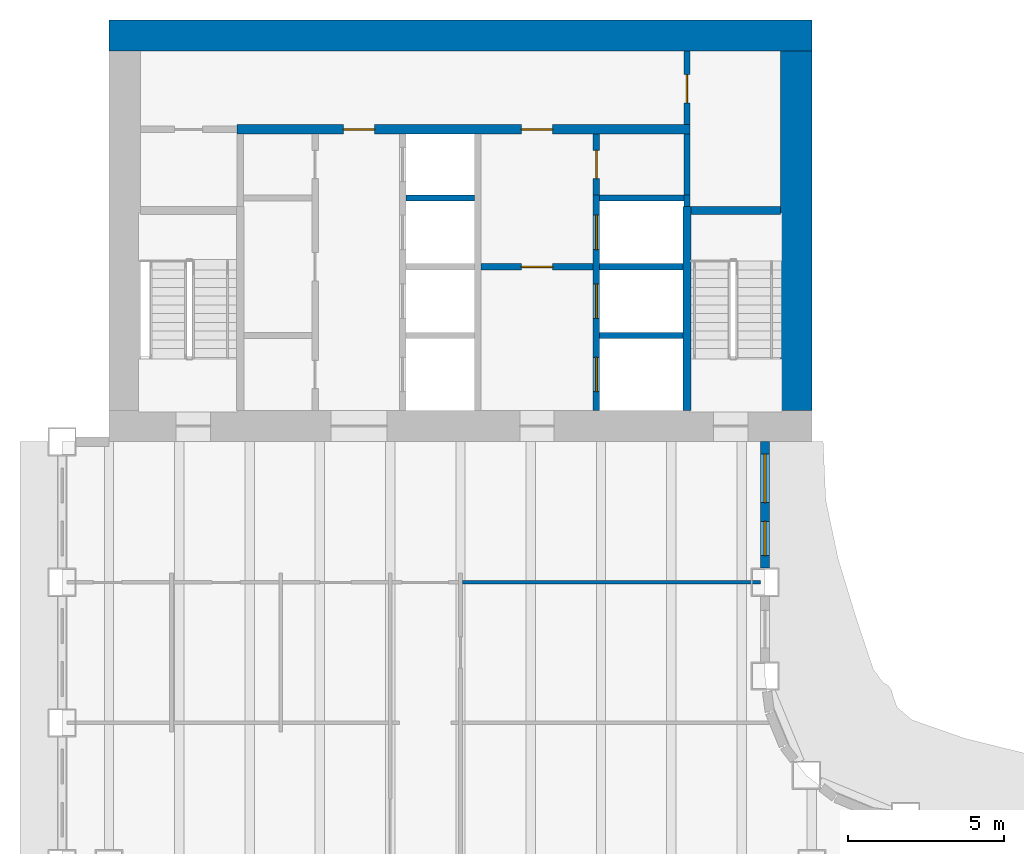
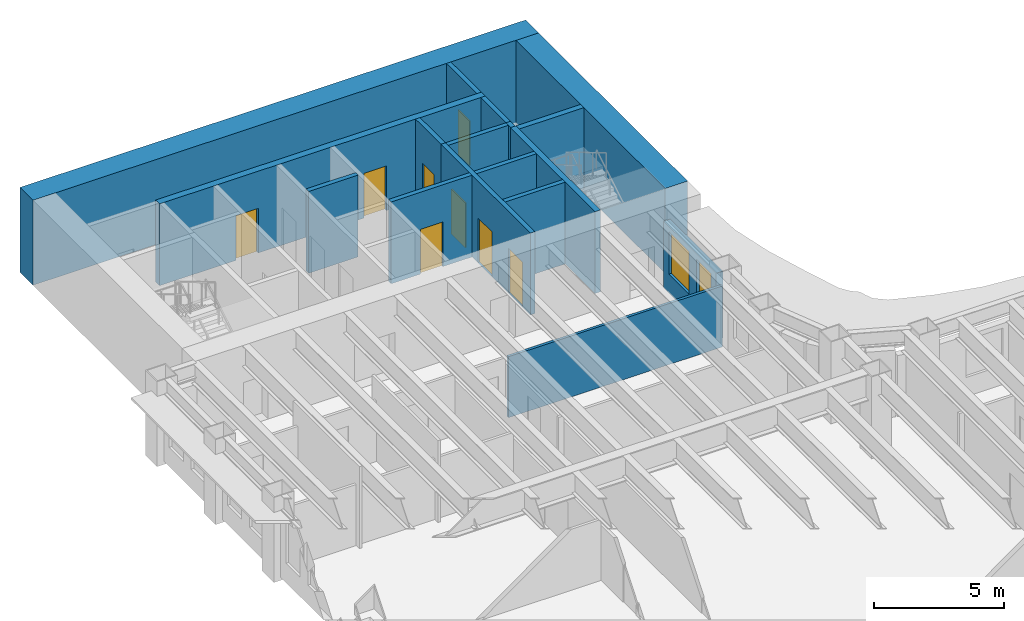
# One storey, part 9 of 16: 17 walls, 8 doors, 2 windows, 10 openings.
"""IFC4 building model written with IfcOpenShell, lengths in metres."""

from ifc_helpers import new_model, si_unit, direction, frame, frame_2d, origin, place, context, subcontext, project, spatial, rectangle, extrude, material, layer, layer_set, type_object, element, fill, save


model = new_model("IFC4")

# Units and contexts
model_context = context("Model", 3, precision=1e-05, world=origin(), true_north=direction((0.0, 1.0)))
body_context = subcontext(model_context, "Body", "Model", "MODEL_VIEW")
ifc_project = project(units=[si_unit("LENGTHUNIT", "METRE"), si_unit("AREAUNIT", "SQUARE_METRE"), si_unit("VOLUMEUNIT", "CUBIC_METRE"), si_unit("PLANEANGLEUNIT", "RADIAN"), si_unit("MASSUNIT", "GRAM", prefix="KILO")], contexts=[model_context])

# Site, building, storey
site_placement = place(None, origin())
site = spatial("IfcSite", under=ifc_project, at=site_placement, CompositionType="ELEMENT")
building_placement = place(site_placement, origin())
building = spatial("IfcBuilding", under=site, at=building_placement, Name="Sennacour Bend Tower", CompositionType="ELEMENT")
storey_placement = place(building_placement, frame((0.0, 0.0, 167.0)))
storey = spatial("IfcBuildingStorey", under=building, at=storey_placement, Name="L38", CompositionType="ELEMENT", Elevation=167.0)

# Walls
ifc_material_1 = material(Name="Concrete C60/75", Category="concrete")
ifc_layer_1 = layer(ifc_material_1, 1.0, Name="Concrete C60/75", Category="concrete")
ifc_layer_set_1 = layer_set([ifc_layer_1], Name="Concrete C60/75")
wall_type_1 = type_object("IfcWallType", Name="Core wall 1000 C60/75", PredefinedType="SHEAR", material=ifc_layer_set_1)
wall_1_placement = place(storey_placement, frame((0.0, 49.0, -0.14990234375), z_axis=(0.0, 0.0, 1.0), x_axis=(1.0, 0.0, 0.0)))
element("IfcWall", 1, at=wall_1_placement, inside=storey, type_object=wall_type_1, Name="Core B wall L38 N", PredefinedType="SHEAR", context=body_context, shape_type="SweptSolid", body=[
    extrude(rectangle(XDim=22.5, YDim=1.0, at=frame_2d((11.25, 0.0))), origin(), (0.0, 0.0, 1.0), 4.0),
])
wall_2_placement = place(storey_placement, frame((22.0, 37.0, -0.14990234375), z_axis=(0.0, 0.0, 1.0), x_axis=(0.0, 1.0, 0.0)))
element("IfcWall", 2, at=wall_2_placement, inside=storey, type_object=wall_type_1, Name="Core B wall L38 E", PredefinedType="SHEAR", context=body_context, shape_type="SweptSolid", body=[
    extrude(rectangle(XDim=11.5, YDim=1.0, at=frame_2d((5.75, 0.0))), origin(), (0.0, 0.0, 1.0), 4.0),
])
ifc_material_2 = material(Name="Plasterboard partition on steel studs", Category="steel")
ifc_layer_2 = layer(ifc_material_2, 0.1201171875, Name="Plasterboard partition on steel studs", Category="steel")
ifc_layer_set_2 = layer_set([ifc_layer_2], Name="Plasterboard partition on steel studs")
wall_type_2 = type_object("IfcWallType", Name="Partition 120", PredefinedType="PARTITIONING", material=ifc_layer_set_2)
wall_3_placement = place(storey_placement, frame((11.31005859375, 31.5, 0.0), z_axis=(0.0, 0.0, 1.0), x_axis=(1.0, 0.0, 0.0)))
element("IfcWall", 3, at=wall_3_placement, inside=storey, type_object=wall_type_2, Name="P-L38-W080ae", PredefinedType="PARTITIONING", context=body_context, shape_type="SweptSolid", body=[
    extrude(rectangle(XDim=9.5400390625, YDim=0.1201171875, at=frame_2d((4.77001953125, 0.0))), origin(), (0.0, 0.0, 1.0), 2.8701171875),
])

# Wall, opening, door
ifc_material_3 = material(Name="Fire-rated plasterboard partition on steel studs", Category="steel")
ifc_layer_3 = layer(ifc_material_3, 0.199951171875, Name="Fire-rated plasterboard partition on steel studs", Category="steel")
ifc_layer_set_3 = layer_set([ifc_layer_3], Name="Fire-rated plasterboard partition on steel studs")
wall_type_3 = type_object("IfcWallType", Name="Rated partition 200", PredefinedType="PARTITIONING", material=ifc_layer_set_3)
wall_4_placement = place(storey_placement, frame((15.60009765625, 43.89990234375, 0.0), z_axis=(0.0, 0.0, 1.0), x_axis=(0.0, 1.0, 0.0)))
wall_4 = element("IfcWall", 4, at=wall_4_placement, inside=storey, type_object=wall_type_3, Name="P-L38-W018", PredefinedType="PARTITIONING", context=body_context, shape_type="SweptSolid", body=[
    extrude(rectangle(XDim=1.9501953125, YDim=0.199951171875, at=frame_2d((0.97509765625, 0.0))), origin(), (0.0, 0.0, 1.0), 3.85009765625),
])
opening_1_placement = place(wall_4_placement, frame((0.525146484375, 0.0, 0.0)))
opening_1 = element("IfcOpeningElement", 5, at=opening_1_placement, cuts=wall_4, Name="Opening SV", PredefinedType="OPENING", context=body_context, shape_type="SweptSolid", body=[
    extrude(rectangle(XDim=0.89990234375, YDim=2.10009765625, at=frame_2d((0.449951171875, 1.050048828125))), frame((0.0, 0.10986328125, 0.0), z_axis=(0.0, -1.0, 0.0), x_axis=(1.0, 0.0, 0.0)), (0.0, 0.0, 1.0), 0.219970703125),
])
ifc_material_4 = material(Name="Painted steel", Category="steel")
door_type_1 = type_object("IfcDoorType", Name="DR-SERVICE-900", OperationType="NOTDEFINED", PredefinedType="DOOR", material=ifc_material_4)
door_1_placement = place(opening_1_placement, origin())
door_1 = element("IfcDoor", 6, at=door_1_placement, inside=storey, type_object=door_type_1, Name="Door", OperationType="SINGLE_SWING_RIGHT", OverallHeight=2.10009765625, OverallWidth=0.89990234375, PredefinedType="DOOR", context=body_context, shape_type="SweptSolid", body=[
    extrude(rectangle(XDim=0.89990234375, YDim=2.10009765625, at=frame_2d((0.449951171875, 1.050048828125))), frame((0.0, 0.02490234375, 0.0), z_axis=(0.0, -1.0, 0.0), x_axis=(1.0, 0.0, 0.0)), (0.0, 0.0, 1.0), 0.050048828125),
])
fill(opening_1, door_1)

# Wall
wall_5_placement = place(storey_placement, frame((18.5, 43.89990234375, 0.0), z_axis=(0.0, 0.0, 1.0), x_axis=(0.0, 1.0, 0.0)))
element("IfcWall", 7, at=wall_5_placement, inside=storey, type_object=wall_type_3, Name="P-L38-W022a", PredefinedType="PARTITIONING", context=body_context, shape_type="SweptSolid", body=[
    extrude(rectangle(XDim=1.9501953125, YDim=0.199951171875, at=frame_2d((0.97509765625, 0.0))), origin(), (0.0, 0.0, 1.0), 3.85009765625),
])

# Wall, opening, door
wall_6_placement = place(storey_placement, frame((18.5, 46.14990234375, 0.0), z_axis=(0.0, 0.0, 1.0), x_axis=(0.0, 1.0, 0.0)))
wall_6 = element("IfcWall", 8, at=wall_6_placement, inside=storey, type_object=wall_type_3, Name="P-L38-W022b", PredefinedType="PARTITIONING", context=body_context, shape_type="SweptSolid", body=[
    extrude(rectangle(XDim=2.35009765625, YDim=0.199951171875, at=frame_2d((1.175048828125, 0.0))), origin(), (0.0, 0.0, 1.0), 3.85009765625),
])
opening_2_placement = place(wall_6_placement, frame((0.7001953125, 0.0, 0.0)))
opening_2 = element("IfcOpeningElement", 9, at=opening_2_placement, cuts=wall_6, Name="Opening SV", PredefinedType="OPENING", context=body_context, shape_type="SweptSolid", body=[
    extrude(rectangle(XDim=0.89990234375, YDim=2.10009765625, at=frame_2d((0.449951171875, 1.050048828125))), frame((0.0, 0.10986328125, 0.0), z_axis=(0.0, -1.0, 0.0), x_axis=(1.0, 0.0, 0.0)), (0.0, 0.0, 1.0), 0.219970703125),
])
door_2_placement = place(opening_2_placement, origin())
door_2 = element("IfcDoor", 10, at=door_2_placement, inside=storey, type_object=door_type_1, Name="Door", OperationType="SINGLE_SWING_LEFT", OverallHeight=2.10009765625, OverallWidth=0.89990234375, PredefinedType="DOOR", context=body_context, shape_type="SweptSolid", body=[
    extrude(rectangle(XDim=0.89990234375, YDim=2.10009765625, at=frame_2d((0.449951171875, 1.050048828125))), frame((0.0, 0.02490234375, 0.0), z_axis=(0.0, -1.0, 0.0), x_axis=(1.0, 0.0, 0.0)), (0.0, 0.0, 1.0), 0.050048828125),
])
fill(opening_2, door_2)

ifc_layer_4 = layer(ifc_material_3, 0.199951171875, Name="Fire-rated plasterboard partition on steel studs", Category="steel")
ifc_layer_set_4 = layer_set([ifc_layer_4], Name="Fire-rated plasterboard partition on steel studs")
wall_type_4 = type_object("IfcWallType", Name="Rated partition 200 EI 90", PredefinedType="PARTITIONING", material=ifc_layer_set_4)
wall_7_placement = place(storey_placement, frame((11.89990234375, 41.60009765625, 0.0), z_axis=(0.0, 0.0, 1.0), x_axis=(1.0, 0.0, 0.0)))
wall_7 = element("IfcWall", 11, at=wall_7_placement, inside=storey, type_object=wall_type_4, Name="P-L38-W086", PredefinedType="PARTITIONING", context=body_context, shape_type="SweptSolid", body=[
    extrude(rectangle(XDim=3.60009765625, YDim=0.199951171875, at=frame_2d((1.800048828125, 0.0))), origin(), (0.0, 0.0, 1.0), 3.85009765625),
])
opening_3_placement = place(wall_7_placement, frame((1.300048828125, 0.0, 0.0)))
opening_3 = element("IfcOpeningElement", 12, at=opening_3_placement, cuts=wall_7, Name="Opening FD2", PredefinedType="OPENING", context=body_context, shape_type="SweptSolid", body=[
    extrude(rectangle(XDim=1.0, YDim=2.10009765625, at=frame_2d((0.5, 1.050048828125))), frame((0.0, 0.10986328125, 0.0), z_axis=(0.0, -1.0, 0.0), x_axis=(1.0, 0.0, 0.0)), (0.0, 0.0, 1.0), 0.219970703125),
])
door_type_2 = type_object("IfcDoorType", Name="DR-FFL-1000", OperationType="NOTDEFINED", PredefinedType="DOOR", material=ifc_material_4)
door_3_placement = place(opening_3_placement, origin())
door_3 = element("IfcDoor", 13, at=door_3_placement, inside=storey, type_object=door_type_2, Name="Door", OperationType="SINGLE_SWING_LEFT", OverallHeight=2.10009765625, OverallWidth=1.0, PredefinedType="DOOR", context=body_context, shape_type="SweptSolid", body=[
    extrude(rectangle(XDim=1.0, YDim=2.10009765625, at=frame_2d((0.5, 1.050048828125))), frame((0.0, 0.02490234375, 0.0), z_axis=(0.0, -1.0, 0.0), x_axis=(1.0, 0.0, 0.0)), (0.0, 0.0, 1.0), 0.050048828125),
])
fill(opening_3, door_3)

# Wall, openings, windows
ifc_material_5 = material(Name="Warm limestone cladding", Category="masonry")
ifc_layer_5 = layer(ifc_material_5, 0.050048828125, Name="Warm limestone cladding", Category="masonry")
ifc_material_6 = material(Name="Precast concrete C40/50", Category="concrete")
ifc_layer_6 = layer(ifc_material_6, 0.25, Name="Precast concrete C40/50", Category="concrete")
ifc_layer_set_5 = layer_set([ifc_layer_5, ifc_layer_6], Name="Precast concrete C40/50 with limestone cladding")
wall_type_5 = type_object("IfcWallType", Name="STONE-CLAD PRECAST SPANDREL 300", PredefinedType="STANDARD", material=ifc_layer_set_5)
wall_8_placement = place(storey_placement, frame((21.0, 31.949951171875, 0.0), z_axis=(0.0, 0.0, 1.0), x_axis=(0.0, 1.0, 0.0)))
wall_8 = element("IfcWall", 14, at=wall_8_placement, inside=storey, type_object=wall_type_5, Name="Stone spandrel and pier wall L38 15.01", PredefinedType="STANDARD", context=body_context, shape_type="SweptSolid", body=[
    extrude(rectangle(XDim=4.050048828125, YDim=0.300048828125, at=frame_2d((2.02490234375, 0.0))), origin(), (0.0, 0.0, 1.0), 3.14892578125),
])
opening_4_placement = place(wall_8_placement, frame((0.39990234375, 0.0, 0.89990234375)))
opening_4 = element("IfcOpeningElement", 15, at=opening_4_placement, cuts=wall_8, Name="Opening W19", PredefinedType="OPENING", context=body_context, shape_type="SweptSolid", body=[
    extrude(rectangle(XDim=1.10009765625, YDim=2.0, at=frame_2d((0.550048828125, 1.0))), frame((0.0, 0.16015625, 0.0), z_axis=(0.0, -1.0, 0.0), x_axis=(1.0, 0.0, 0.0)), (0.0, 0.0, 1.0), 0.320068359375),
])
opening_5_placement = place(wall_8_placement, frame((2.10009765625, 0.0, 0.89990234375)))
opening_5 = element("IfcOpeningElement", 16, at=opening_5_placement, cuts=wall_8, Name="Opening W9", PredefinedType="OPENING", context=body_context, shape_type="SweptSolid", body=[
    extrude(rectangle(XDim=1.550048828125, YDim=2.0, at=frame_2d((0.77490234375, 1.0))), frame((0.0, 0.16015625, 0.0), z_axis=(0.0, -1.0, 0.0), x_axis=(1.0, 0.0, 0.0)), (0.0, 0.0, 1.0), 0.320068359375),
])
ifc_material_7 = material(Name="Clear low-emissivity glass", Category="glass")
window_type_1 = type_object("IfcWindowType", Name="WIN-RIBBON-1100x2000", PartitioningType="SINGLE_PANEL", PredefinedType="WINDOW", material=ifc_material_7)
window_1_placement = place(opening_4_placement, origin())
window_1 = element("IfcWindow", 17, at=window_1_placement, inside=storey, type_object=window_type_1, Name="Ribbon window L38 15.01.0", OverallHeight=2.0, OverallWidth=1.10009765625, PartitioningType="SINGLE_PANEL", PredefinedType="WINDOW", context=body_context, shape_type="SweptSolid", body=[
    extrude(rectangle(XDim=1.10009765625, YDim=2.0, at=frame_2d((0.550048828125, 1.0))), frame((0.0, 0.030029296875, 0.0), z_axis=(0.0, -1.0, 0.0), x_axis=(1.0, 0.0, 0.0)), (0.0, 0.0, 1.0), 0.06005859375),
])
fill(opening_4, window_1)
window_type_2 = type_object("IfcWindowType", Name="WIN-RIBBON-1550x2000", PartitioningType="SINGLE_PANEL", PredefinedType="WINDOW", material=ifc_material_7)
window_2_placement = place(opening_5_placement, origin())
window_2 = element("IfcWindow", 18, at=window_2_placement, inside=storey, type_object=window_type_2, Name="Ribbon window L38 15.01.1", OverallHeight=2.0, OverallWidth=1.550048828125, PartitioningType="SINGLE_PANEL", PredefinedType="WINDOW", context=body_context, shape_type="SweptSolid", body=[
    extrude(rectangle(XDim=1.550048828125, YDim=2.0, at=frame_2d((0.77490234375, 1.0))), frame((0.0, 0.030029296875, 0.0), z_axis=(0.0, -1.0, 0.0), x_axis=(1.0, 0.0, 0.0)), (0.0, 0.0, 1.0), 0.06005859375),
])
fill(opening_5, window_2)

# Wall, openings, doors
ifc_material_8 = material(Name="Concrete C50/60", Category="concrete")
ifc_layer_7 = layer(ifc_material_8, 0.199951171875, Name="Concrete C50/60", Category="concrete")
ifc_layer_set_6 = layer_set([ifc_layer_7], Name="Concrete C50/60")
wall_type_6 = type_object("IfcWallType", Name="Shaft wall 200", PredefinedType="SOLIDWALL", material=ifc_layer_set_6)
wall_9_placement = place(storey_placement, frame((15.60009765625, 37.0, 0.0), z_axis=(0.0, 0.0, 1.0), x_axis=(0.0, 1.0, 0.0)))
wall_9 = element("IfcWall", 19, at=wall_9_placement, inside=storey, type_object=wall_type_6, Name="P-L38-W017", PredefinedType="SOLIDWALL", context=body_context, shape_type="SweptSolid", body=[
    extrude(rectangle(XDim=6.89990234375, YDim=0.199951171875, at=frame_2d((3.449951171875, 0.0))), origin(), (0.0, 0.0, 1.0), 3.85009765625),
])
opening_6_placement = place(wall_9_placement, frame((0.60009765625, 0.0, 0.011962890625)))
opening_6 = element("IfcOpeningElement", 20, at=opening_6_placement, cuts=wall_9, Name="Opening FLD", PredefinedType="OPENING", context=body_context, shape_type="SweptSolid", body=[
    extrude(rectangle(XDim=1.10009765625, YDim=2.10009765625, at=frame_2d((0.550048828125, 1.050048828125))), frame((0.0, 0.10986328125, 0.0), z_axis=(0.0, -1.0, 0.0), x_axis=(1.0, 0.0, 0.0)), (0.0, 0.0, 1.0), 0.219970703125),
])
opening_7_placement = place(wall_9_placement, frame((2.949951171875, 0.0, 0.011962890625)))
opening_7 = element("IfcOpeningElement", 21, at=opening_7_placement, cuts=wall_9, Name="Opening FLD", PredefinedType="OPENING", context=body_context, shape_type="SweptSolid", body=[
    extrude(rectangle(XDim=1.10009765625, YDim=2.10009765625, at=frame_2d((0.550048828125, 1.050048828125))), frame((0.0, 0.10986328125, 0.0), z_axis=(0.0, -1.0, 0.0), x_axis=(1.0, 0.0, 0.0)), (0.0, 0.0, 1.0), 0.219970703125),
])
opening_8_placement = place(wall_9_placement, frame((5.14990234375, 0.0, 0.011962890625)))
opening_8 = element("IfcOpeningElement", 22, at=opening_8_placement, cuts=wall_9, Name="Opening LD", PredefinedType="OPENING", context=body_context, shape_type="SweptSolid", body=[
    extrude(rectangle(XDim=1.10009765625, YDim=2.10009765625, at=frame_2d((0.550048828125, 1.050048828125))), frame((0.0, 0.10986328125, 0.0), z_axis=(0.0, -1.0, 0.0), x_axis=(1.0, 0.0, 0.0)), (0.0, 0.0, 1.0), 0.219970703125),
])
ifc_material_9 = material(Name="Stainless steel", Category="steel")
door_type_3 = type_object("IfcDoorType", Name="DR-FF-LANDING-1100", OperationType="NOTDEFINED", PredefinedType="DOOR", material=ifc_material_9)
door_4_placement = place(opening_6_placement, origin())
door_4 = element("IfcDoor", 23, at=door_4_placement, inside=storey, type_object=door_type_3, Name="Fire service lift landing door FB1", OperationType="SLIDING_TO_LEFT", OverallHeight=2.10009765625, OverallWidth=1.10009765625, PredefinedType="DOOR", context=body_context, shape_type="SweptSolid", body=[
    extrude(rectangle(XDim=1.10009765625, YDim=2.10009765625, at=frame_2d((0.550048828125, 1.050048828125))), frame((0.0, 0.02490234375, 0.0), z_axis=(0.0, -1.0, 0.0), x_axis=(1.0, 0.0, 0.0)), (0.0, 0.0, 1.0), 0.050048828125),
])
fill(opening_6, door_4)
door_5_placement = place(opening_7_placement, origin())
door_5 = element("IfcDoor", 24, at=door_5_placement, inside=storey, type_object=door_type_3, Name="Fire service lift landing door FB2", OperationType="SLIDING_TO_RIGHT", OverallHeight=2.10009765625, OverallWidth=1.10009765625, PredefinedType="DOOR", context=body_context, shape_type="SweptSolid", body=[
    extrude(rectangle(XDim=1.10009765625, YDim=2.10009765625, at=frame_2d((0.550048828125, 1.050048828125))), frame((0.0, 0.02490234375, 0.0), z_axis=(0.0, -1.0, 0.0), x_axis=(1.0, 0.0, 0.0)), (0.0, 0.0, 1.0), 0.050048828125),
])
fill(opening_7, door_5)
door_type_4 = type_object("IfcDoorType", Name="DR-LANDING-1100", OperationType="NOTDEFINED", PredefinedType="DOOR", material=ifc_material_9)
door_6_placement = place(opening_8_placement, origin())
door_6 = element("IfcDoor", 25, at=door_6_placement, inside=storey, type_object=door_type_4, Name="Lift landing door MB5", OperationType="SLIDING_TO_LEFT", OverallHeight=2.10009765625, OverallWidth=1.10009765625, PredefinedType="DOOR", context=body_context, shape_type="SweptSolid", body=[
    extrude(rectangle(XDim=1.10009765625, YDim=2.10009765625, at=frame_2d((0.550048828125, 1.050048828125))), frame((0.0, 0.02490234375, 0.0), z_axis=(0.0, -1.0, 0.0), x_axis=(1.0, 0.0, 0.0)), (0.0, 0.0, 1.0), 0.050048828125),
])
fill(opening_8, door_6)

# Walls
wall_10_placement = place(storey_placement, frame((18.5, 43.52490234375, 0.0), z_axis=(0.0, 0.0, 1.0), x_axis=(0.0, 1.0, 0.0)))
element("IfcWall", 26, at=wall_10_placement, inside=storey, type_object=wall_type_6, Name="P-L38-W021", PredefinedType="SOLIDWALL", context=body_context, shape_type="SweptSolid", body=[
    extrude(rectangle(XDim=0.375, YDim=0.199951171875, at=frame_2d((0.1875, 0.0))), origin(), (0.0, 0.0, 1.0), 3.85009765625),
])
for number, where, z_axis, x_axis, name in (
    (27, (15.699951171875, 39.39990234375, 0.0), (0.0, 0.0, 1.0), (1.0, 0.0, 0.0), "P-L38-W084"),
    (28, (15.699951171875, 41.60009765625, 0.0), (0.0, 0.0, 1.0), (1.0, 0.0, 0.0), "P-L38-W087"),
):
    element("IfcWall", number, at=place(storey_placement, frame(where, z_axis=z_axis, x_axis=x_axis)), inside=storey, type_object=wall_type_6, Name=name, PredefinedType="SOLIDWALL", context=body_context, shape_type="SweptSolid", body=[
        extrude(rectangle(XDim=2.675048828125, YDim=0.199951171875, at=frame_2d((1.33740234375, 0.0))), origin(), (0.0, 0.0, 1.0), 3.85009765625),
    ])
wall_11_placement = place(storey_placement, frame((9.5, 43.800048828125, 0.0), z_axis=(0.0, 0.0, 1.0), x_axis=(1.0, 0.0, 0.0)))
element("IfcWall", 29, at=wall_11_placement, inside=storey, type_object=wall_type_6, Name="P-L38-W091", PredefinedType="SOLIDWALL", context=body_context, shape_type="SweptSolid", body=[
    extrude(rectangle(XDim=2.199951171875, YDim=0.199951171875, at=frame_2d((1.10009765625, 0.0))), origin(), (0.0, 0.0, 1.0), 3.85009765625),
])
wall_12_placement = place(storey_placement, frame((15.699951171875, 43.800048828125, 0.0), z_axis=(0.0, 0.0, 1.0), x_axis=(1.0, 0.0, 0.0)))
element("IfcWall", 30, at=wall_12_placement, inside=storey, type_object=wall_type_6, Name="P-L38-W092", PredefinedType="SOLIDWALL", context=body_context, shape_type="SweptSolid", body=[
    extrude(rectangle(XDim=2.699951171875, YDim=0.199951171875, at=frame_2d((1.35009765625, 0.0))), origin(), (0.0, 0.0, 1.0), 3.85009765625),
])

# Wall, openings, doors
ifc_layer_8 = layer(ifc_material_1, 0.300048828125, Name="Concrete C60/75", Category="concrete")
ifc_layer_set_7 = layer_set([ifc_layer_8], Name="Concrete C60/75")
wall_type_7 = type_object("IfcWallType", Name="Spine wall 300", PredefinedType="SHEAR", material=ifc_layer_set_7)
wall_13_placement = place(storey_placement, frame((4.10009765625, 46.0, 0.0), z_axis=(0.0, 0.0, 1.0), x_axis=(1.0, 0.0, 0.0)))
wall_13 = element("IfcWall", 31, at=wall_13_placement, inside=storey, type_object=wall_type_7, Name="P-L38-W094", PredefinedType="SHEAR", context=body_context, shape_type="SweptSolid", body=[
    extrude(rectangle(XDim=14.5, YDim=0.300048828125, at=frame_2d((7.25, 0.0))), origin(), (0.0, 0.0, 1.0), 3.85009765625),
])
opening_9_placement = place(wall_13_placement, frame((3.39990234375, 0.0, 0.0)))
opening_9 = element("IfcOpeningElement", 32, at=opening_9_placement, cuts=wall_13, Name="Opening CD2", PredefinedType="OPENING", context=body_context, shape_type="SweptSolid", body=[
    extrude(rectangle(XDim=1.0, YDim=2.10009765625, at=frame_2d((0.5, 1.050048828125))), frame((0.0, 0.16015625, 0.0), z_axis=(0.0, -1.0, 0.0), x_axis=(1.0, 0.0, 0.0)), (0.0, 0.0, 1.0), 0.320068359375),
])
opening_10_placement = place(wall_13_placement, frame((9.099853515625, 0.0, 0.0)))
opening_10 = element("IfcOpeningElement", 33, at=opening_10_placement, cuts=wall_13, Name="Opening CD2", PredefinedType="OPENING", context=body_context, shape_type="SweptSolid", body=[
    extrude(rectangle(XDim=1.0, YDim=2.10009765625, at=frame_2d((0.5, 1.050048828125))), frame((0.0, 0.16015625, 0.0), z_axis=(0.0, -1.0, 0.0), x_axis=(1.0, 0.0, 0.0)), (0.0, 0.0, 1.0), 0.320068359375),
])
door_type_5 = type_object("IfcDoorType", Name="DR-LOBBY-1000", OperationType="NOTDEFINED", PredefinedType="DOOR", material=ifc_material_4)
door_7_placement = place(opening_9_placement, origin())
door_7 = element("IfcDoor", 34, at=door_7_placement, inside=storey, type_object=door_type_5, Name="Door", OperationType="SINGLE_SWING_LEFT", OverallHeight=2.10009765625, OverallWidth=1.0, PredefinedType="DOOR", context=body_context, shape_type="SweptSolid", body=[
    extrude(rectangle(XDim=1.0, YDim=2.10009765625, at=frame_2d((0.5, 1.050048828125))), frame((0.0, 0.02490234375, 0.0), z_axis=(0.0, -1.0, 0.0), x_axis=(1.0, 0.0, 0.0)), (0.0, 0.0, 1.0), 0.050048828125),
])
fill(opening_9, door_7)
door_8_placement = place(opening_10_placement, origin())
door_8 = element("IfcDoor", 35, at=door_8_placement, inside=storey, type_object=door_type_5, Name="Door", OperationType="SINGLE_SWING_RIGHT", OverallHeight=2.10009765625, OverallWidth=1.0, PredefinedType="DOOR", context=body_context, shape_type="SweptSolid", body=[
    extrude(rectangle(XDim=1.0, YDim=2.10009765625, at=frame_2d((0.5, 1.050048828125))), frame((0.0, 0.02490234375, 0.0), z_axis=(0.0, -1.0, 0.0), x_axis=(1.0, 0.0, 0.0)), (0.0, 0.0, 1.0), 0.050048828125),
])
fill(opening_10, door_8)

# Walls
ifc_layer_9 = layer(ifc_material_1, 0.25, Name="Concrete C60/75", Category="concrete")
ifc_layer_set_8 = layer_set([ifc_layer_9], Name="Concrete C60/75")
wall_type_8 = type_object("IfcWallType", Name="Stair wall 250", PredefinedType="SHEAR", material=ifc_layer_set_8)
wall_14_placement = place(storey_placement, frame((18.5, 37.0, 0.0), z_axis=(0.0, 0.0, 1.0), x_axis=(0.0, 1.0, 0.0)))
element("IfcWall", 36, at=wall_14_placement, inside=storey, type_object=wall_type_8, Name="P-L38-W020", PredefinedType="SHEAR", context=body_context, shape_type="SweptSolid", body=[
    extrude(rectangle(XDim=6.52490234375, YDim=0.25, at=frame_2d((3.262451171875, 0.0))), origin(), (0.0, 0.0, 1.0), 3.85009765625),
])
wall_15_placement = place(storey_placement, frame((18.625, 43.39990234375, 0.0), z_axis=(0.0, 0.0, 1.0), x_axis=(1.0, 0.0, 0.0)))
element("IfcWall", 37, at=wall_15_placement, inside=storey, type_object=wall_type_8, Name="P-L38-W089", PredefinedType="SHEAR", context=body_context, shape_type="SweptSolid", body=[
    extrude(rectangle(XDim=2.875, YDim=0.25, at=frame_2d((1.4375, 0.0))), origin(), (0.0, 0.0, 1.0), 3.85009765625),
])

save(model, "model.ifc")
